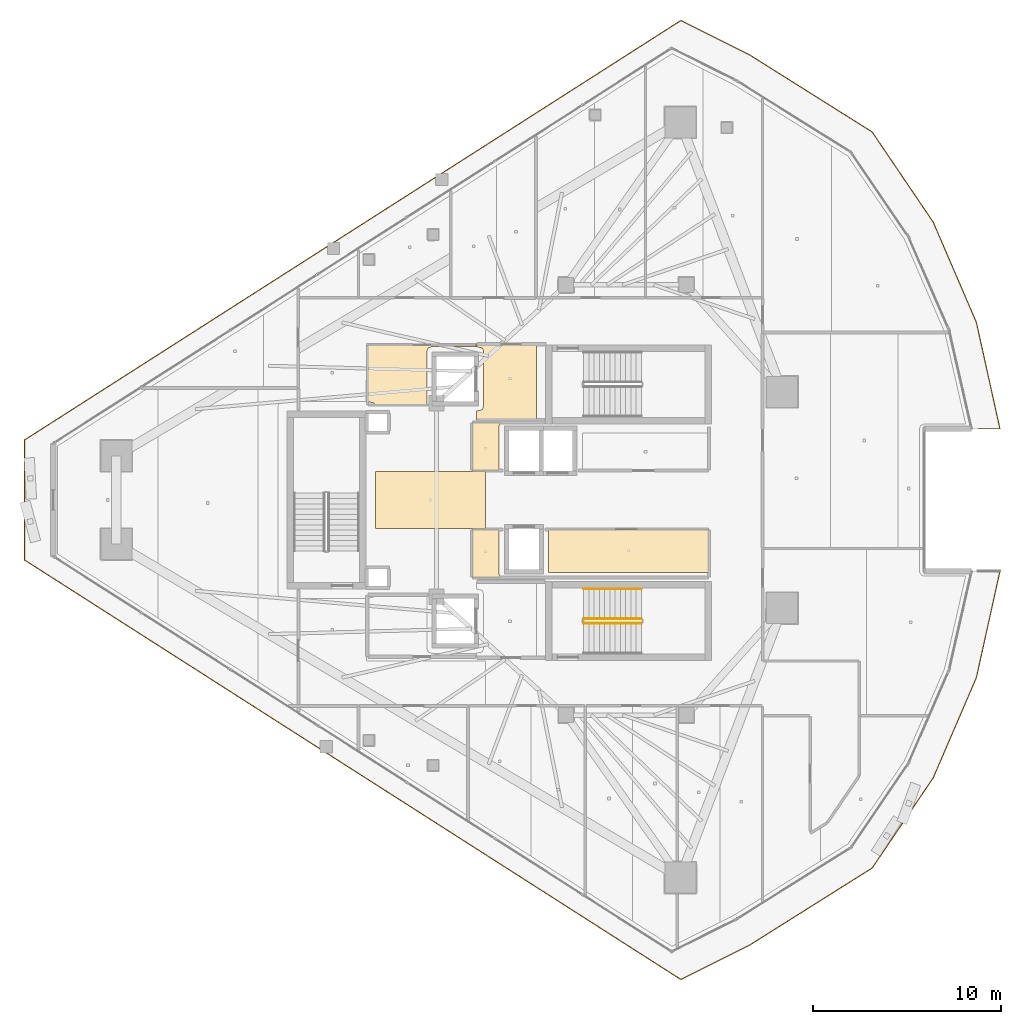
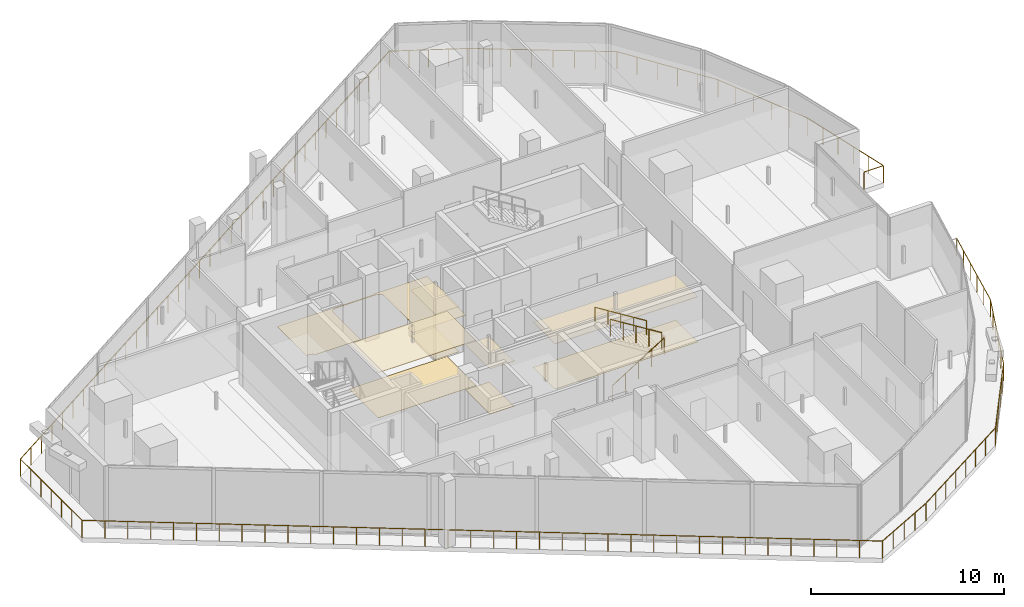
# One storey, part 33 of 36: 10 coverings, 4 railings.
"""IFC4 building model written with IfcOpenShell, lengths in metres."""

from ifc_helpers import new_model, si_unit, direction, frame, origin, origin_2d, place, context, subcontext, project, spatial, polyline, circle, outline, extrude, material, layer, layer_set, type_object, element, save


model = new_model("IFC4")

# Units and contexts
model_context = context("Model", 3, precision=1e-05, world=origin(), true_north=direction((0.0, 1.0)))
body_context = subcontext(model_context, "Body", "Model", "MODEL_VIEW")
ifc_project = project(units=[si_unit("LENGTHUNIT", "METRE"), si_unit("AREAUNIT", "SQUARE_METRE"), si_unit("VOLUMEUNIT", "CUBIC_METRE"), si_unit("PLANEANGLEUNIT", "RADIAN"), si_unit("MASSUNIT", "GRAM", prefix="KILO")], contexts=[model_context])

# Site, building, storey
site_placement = place(None, origin())
site = spatial("IfcSite", under=ifc_project, at=site_placement, CompositionType="ELEMENT")
building_placement = place(site_placement, origin())
building = spatial("IfcBuilding", under=site, at=building_placement, Name="Qorvath Tower", CompositionType="ELEMENT")
storey_placement = place(building_placement, frame((0.0, 0.0, 272.39990234375)))
storey = spatial("IfcBuildingStorey", under=building, at=storey_placement, Name="L63", CompositionType="ELEMENT", Elevation=272.39990234375)

# Coverings
ifc_material_1 = material(Name="Acoustic mineral fibre ceiling tile", Category="gypsum")
ifc_layer_1 = layer(ifc_material_1, 0.030029296875)
ifc_layer_set_1 = layer_set([ifc_layer_1], Name="COV-CEIL")
covering_type_1 = type_object("IfcCoveringType", Name="COV-CEIL", PredefinedType="CEILING", material=ifc_layer_set_1)
covering_1_placement = place(storey_placement, frame((0.0, 0.0, 2.85009765625)))
element("IfcCovering", 1, at=covering_1_placement, inside=storey, type_object=covering_type_1, Name="L63 Suspended Acoustic Ceiling 004", PredefinedType="CEILING", context=body_context, shape_type="SweptSolid", body=[
    extrude(outline(polyline([(-27.159912109375, 1.56494140625), (-27.159912109375, 3.9599609375), (-27.095703125, 4.114990234375), (-28.594970703125, 4.114990234375), (-28.594970703125, 1.56494140625), (-27.159912109375, 1.56494140625)])), origin(), (0.0, 0.0, 1.0), 0.030029296875),
])
covering_2_placement = place(storey_placement, frame((0.0, 0.0, 2.85009765625)))
element("IfcCovering", 2, at=covering_2_placement, inside=storey, type_object=covering_type_1, Name="L63 Suspended Acoustic Ceiling 005", PredefinedType="CEILING", context=body_context, shape_type="SweptSolid", body=[
    extrude(outline(polyline([(-24.5400390625, -1.56494140625), (-24.5400390625, -3.85009765625), (-16.0048828125, -3.85009765625), (-16.0048828125, -1.56494140625), (-24.5400390625, -1.56494140625)])), origin(), (0.0, 0.0, 1.0), 0.030029296875),
])
covering_3_placement = place(storey_placement, frame((0.0, 0.0, 2.85009765625)))
element("IfcCovering", 3, at=covering_3_placement, inside=storey, type_object=covering_type_1, Name="L63 Suspended Acoustic Ceiling 006", PredefinedType="CEILING", context=body_context, shape_type="SweptSolid", body=[
    extrude(outline(polyline([(-27.095703125, -4.114990234375), (-27.159912109375, -3.9599609375), (-27.159912109375, -1.56494140625), (-28.594970703125, -1.56494140625), (-28.594970703125, -4.114990234375), (-27.095703125, -4.114990234375)])), origin(), (0.0, 0.0, 1.0), 0.030029296875),
])
covering_4_placement = place(storey_placement, frame((0.0, 0.0, 2.85009765625)))
element("IfcCovering", 4, at=covering_4_placement, inside=storey, type_object=covering_type_1, Name="L63 Suspended Acoustic Ceiling 011", PredefinedType="CEILING", context=body_context, shape_type="SweptSolid", body=[
    extrude(outline(polyline([(-27.8984375, -1.514892578125), (-27.8984375, 1.514892578125), (-33.760009765625, 1.514892578125), (-33.760009765625, -1.514892578125), (-27.8984375, -1.514892578125)])), origin(), (0.0, 0.0, 1.0), 0.030029296875),
])
ifc_material_2 = material(Name="Low-VOC modular carpet tile", Category="textile")
ifc_layer_2 = layer(ifc_material_2, 0.014892578125)
ifc_layer_set_2 = layer_set([ifc_layer_2], Name="COV-FLOOR-CPT")
covering_type_2 = type_object("IfcCoveringType", Name="COV-FLOOR-CPT", PredefinedType="FLOORING", material=ifc_layer_set_2)
covering_5_placement = place(storey_placement, origin())
element("IfcCovering", 5, at=covering_5_placement, inside=storey, type_object=covering_type_2, Name="L63 Floor Finish 004", PredefinedType="FLOORING", context=body_context, shape_type="SweptSolid", body=[
    extrude(outline(polyline([(-27.159912109375, 1.56494140625), (-27.159912109375, 3.9599609375), (-27.095703125, 4.114990234375), (-28.594970703125, 4.114990234375), (-28.594970703125, 1.56494140625), (-27.159912109375, 1.56494140625)])), origin(), (0.0, 0.0, 1.0), 0.01513671875),
])
covering_6_placement = place(storey_placement, origin())
element("IfcCovering", 6, at=covering_6_placement, inside=storey, type_object=covering_type_2, Name="L63 Floor Finish 005", PredefinedType="FLOORING", context=body_context, shape_type="SweptSolid", body=[
    extrude(outline(polyline([(-24.5400390625, -1.56494140625), (-24.5400390625, -3.85009765625), (-16.0048828125, -3.85009765625), (-16.0048828125, -1.56494140625), (-24.5400390625, -1.56494140625)])), origin(), (0.0, 0.0, 1.0), 0.01513671875),
])
covering_7_placement = place(storey_placement, origin())
element("IfcCovering", 7, at=covering_7_placement, inside=storey, type_object=covering_type_2, Name="L63 Floor Finish 006", PredefinedType="FLOORING", context=body_context, shape_type="SweptSolid", body=[
    extrude(outline(polyline([(-27.095703125, -4.114990234375), (-27.159912109375, -3.9599609375), (-27.159912109375, -1.56494140625), (-28.594970703125, -1.56494140625), (-28.594970703125, -4.114990234375), (-27.095703125, -4.114990234375)])), origin(), (0.0, 0.0, 1.0), 0.01513671875),
])
ifc_material_3 = material(Name="Polished epoxy terrazzo flooring", Category="concrete")
ifc_layer_3 = layer(ifc_material_3, 0.02001953125)
ifc_layer_set_3 = layer_set([ifc_layer_3], Name="COV-FLOOR-TRZ")
covering_type_3 = type_object("IfcCoveringType", Name="COV-FLOOR-TRZ", PredefinedType="FLOORING", material=ifc_layer_set_3)
covering_8_placement = place(storey_placement, origin())
element("IfcCovering", 8, at=covering_8_placement, inside=storey, type_object=covering_type_3, Name="L63 Floor Finish 001", PredefinedType="FLOORING", context=body_context, shape_type="SweptSolid", body=[
    extrude(outline(polyline([(-25.18994140625, 4.2548828125), (-25.18994140625, 8.294921875), (-28.375, 8.294921875), (-28.375, 8.159912109375), (-28.063232421875, 8.086669921875), (-27.989990234375, 7.909912109375), (-27.989990234375, 4.989990234375), (-28.063232421875, 4.813232421875), (-28.375, 4.739990234375), (-28.375, 4.2548828125), (-25.18994140625, 4.2548828125)])), origin(), (0.0, 0.0, 1.0), 0.01513671875),
])
covering_9_placement = place(storey_placement, origin())
element("IfcCovering", 9, at=covering_9_placement, inside=storey, type_object=covering_type_3, Name="L63 Floor Finish 007", PredefinedType="FLOORING", context=body_context, shape_type="SweptSolid", body=[
    extrude(outline(polyline([(-31.010009765625, 5.054931640625), (-31.010009765625, 7.909912109375), (-30.936767578125, 8.086669921875), (-30.760009765625, 8.159912109375), (-28.39306640625, 8.159912109375), (-28.39306640625, 8.2451171875), (-34.175048828125, 8.2451171875), (-34.175048828125, 5.239990234375), (-33.833251953125, 5.166748046875), (-33.786865234375, 5.054931640625), (-31.010009765625, 5.054931640625)])), origin(), (0.0, 0.0, 1.0), 0.01513671875),
])
covering_10_placement = place(storey_placement, origin())
element("IfcCovering", 10, at=covering_10_placement, inside=storey, type_object=covering_type_3, Name="L63 Floor Finish 011", PredefinedType="FLOORING", context=body_context, shape_type="SweptSolid", body=[
    extrude(outline(polyline([(-27.8984375, -1.514892578125), (-27.8984375, 1.514892578125), (-33.760009765625, 1.514892578125), (-33.760009765625, -1.514892578125), (-27.8984375, -1.514892578125)])), origin(), (0.0, 0.0, 1.0), 0.01513671875),
])

# Railings
ifc_material_4 = material(Name="Laminated safety glass and stainless steel AISI 316", Category="steel")
railing_type_1 = type_object("IfcRailingType", Name="RL-EXT-GRD", PredefinedType="GUARDRAIL", material=ifc_material_4)
railing_1_placement = place(storey_placement, frame((-0.5029296875, -3.790771484375, 0.0)))
element("IfcRailing", 11, at=railing_1_placement, inside=storey, type_object=railing_type_1, Name="Loggia Perimeter Guardrail L63-1.1", PredefinedType="GUARDRAIL", context=body_context, shape_type="SweptSolid", body=[
    extrude(circle(Radius=0.02392578125, at=origin_2d()), frame((0.0, 0.0, 1.09619140625), z_axis=(-0.216053085193, -0.97638161821, 0.0), x_axis=(0.97638161821, -0.216053085193, 0.0)), (0.0, 0.0, 1.0), 5.804931640625),
    extrude(circle(Radius=0.02392578125, at=origin_2d()), frame((-1.254150390625, -5.667724609375, 1.09619140625), z_axis=(-0.39549727844, -0.918467148431, 0.0), x_axis=(0.918467148431, -0.39549727844, 0.0)), (0.0, 0.0, 1.0), 5.80517578125),
    extrude(circle(Radius=0.02392578125, at=origin_2d()), frame((-3.550048828125, -10.99951171875, 1.09619140625), z_axis=(-0.560828616458, -0.827931919279, 0.0), x_axis=(0.827931919279, -0.560828616458, 0.0)), (0.0, 0.0, 1.0), 5.804931640625),
    extrude(circle(Radius=0.02392578125, at=origin_2d()), frame((-6.8056640625, -15.8056640625, 1.09619140625), z_axis=(-0.846504202931, -0.532382038033, 0.0), x_axis=(0.532382038033, -0.846504202931, 0.0)), (0.0, 0.0, 1.0), 7.71923828125),
    extrude(circle(Radius=0.02392578125, at=origin_2d()), frame((-13.340087890625, -19.915283203125, 1.09619140625), z_axis=(-0.894403239972, -0.447261494349, 0.0), x_axis=(0.447261494349, -0.894403239972, 0.0)), (0.0, 0.0, 1.0), 4.07763671875),
    extrude(circle(Radius=0.02392578125, at=origin_2d()), frame((-16.987060546875, -21.739013671875, 1.09619140625), z_axis=(-0.842602711226, 0.538535672945, 0.0), x_axis=(-0.538535672945, -0.842602711226, 0.0)), (0.0, 0.0, 1.0), 41.480224609375),
    extrude(circle(Radius=0.02392578125, at=origin_2d()), frame((-51.9384765625, 0.599609375, 1.09619140625), z_axis=(0.0, 1.0, 0.0), x_axis=(-1.0, 0.0, 0.0)), (0.0, 0.0, 1.0), 6.38232421875),
    extrude(circle(Radius=0.02392578125, at=origin_2d()), frame((-51.9384765625, 6.98193359375, 1.09619140625), z_axis=(0.842602711226, 0.538535672945, 0.0), x_axis=(-0.538535672945, 0.842602711226, 0.0)), (0.0, 0.0, 1.0), 41.480224609375),
    extrude(circle(Radius=0.02392578125, at=origin_2d()), frame((-16.987060546875, 29.320556640625, 1.09619140625), z_axis=(0.894403239972, -0.447261494349, 0.0), x_axis=(0.447261494349, 0.894403239972, 0.0)), (0.0, 0.0, 1.0), 4.07763671875),
    extrude(circle(Radius=0.02392578125, at=origin_2d()), frame((-13.340087890625, 27.496826171875, 1.09619140625), z_axis=(0.846504202931, -0.532382038033, 0.0), x_axis=(0.532382038033, 0.846504202931, 0.0)), (0.0, 0.0, 1.0), 7.71923828125),
    extrude(circle(Radius=0.02392578125, at=origin_2d()), frame((-6.8056640625, 23.38720703125, 1.09619140625), z_axis=(0.560828616458, -0.827931919279, 0.0), x_axis=(0.827931919279, 0.560828616458, 0.0)), (0.0, 0.0, 1.0), 5.804931640625),
    extrude(circle(Radius=0.02392578125, at=origin_2d()), frame((-3.550048828125, 18.5810546875, 1.09619140625), z_axis=(0.39549727844, -0.918467148431, 0.0), x_axis=(0.918467148431, 0.39549727844, 0.0)), (0.0, 0.0, 1.0), 5.80517578125),
    extrude(circle(Radius=0.02392578125, at=origin_2d()), frame((-1.254150390625, 13.249267578125, 1.09619140625), z_axis=(0.216053085193, -0.97638161821, 0.0), x_axis=(0.97638161821, 0.216053085193, 0.0)), (0.0, 0.0, 1.0), 5.804931640625),
    extrude(circle(Radius=0.02392578125, at=origin_2d()), frame((0.0, 7.58154296875, 1.09619140625), z_axis=(-1.0, 0.0, 0.0), x_axis=(0.0, -1.0, 0.0)), (0.0, 0.0, 1.0), 1.158935546875),
    extrude(circle(Radius=0.02099609375, at=origin_2d()), origin(), (0.0, 0.0, 1.0), 1.072021484375),
    extrude(circle(Radius=0.02099609375, at=origin_2d()), frame((-0.250732421875, -1.133544921875, 0.0)), (0.0, 0.0, 1.0), 1.072021484375),
    extrude(circle(Radius=0.02099609375, at=origin_2d()), frame((-0.501708984375, -2.26708984375, 0.0)), (0.0, 0.0, 1.0), 1.072021484375),
    extrude(circle(Radius=0.02099609375, at=origin_2d()), frame((-0.75244140625, -3.400634765625, 0.0)), (0.0, 0.0, 1.0), 1.072021484375),
    extrude(circle(Radius=0.02099609375, at=origin_2d()), frame((-1.00341796875, -4.5341796875, 0.0)), (0.0, 0.0, 1.0), 1.072021484375),
    extrude(circle(Radius=0.02099609375, at=origin_2d()), frame((-1.254150390625, -5.667724609375, 0.0)), (0.0, 0.0, 1.0), 1.072021484375),
    extrude(circle(Radius=0.02099609375, at=origin_2d()), frame((-1.71337890625, -6.734130859375, 0.0)), (0.0, 0.0, 1.0), 1.072021484375),
    extrude(circle(Radius=0.02099609375, at=origin_2d()), frame((-2.172607421875, -7.800537109375, 0.0)), (0.0, 0.0, 1.0), 1.072021484375),
    extrude(circle(Radius=0.02099609375, at=origin_2d()), frame((-2.631591796875, -8.86669921875, 0.0)), (0.0, 0.0, 1.0), 1.072021484375),
    extrude(circle(Radius=0.02099609375, at=origin_2d()), frame((-3.0908203125, -9.93310546875, 0.0)), (0.0, 0.0, 1.0), 1.072021484375),
    extrude(circle(Radius=0.02099609375, at=origin_2d()), frame((-3.550048828125, -10.99951171875, 0.0)), (0.0, 0.0, 1.0), 1.072021484375),
    extrude(circle(Radius=0.02099609375, at=origin_2d()), frame((-4.201171875, -11.960693359375, 0.0)), (0.0, 0.0, 1.0), 1.072021484375),
    extrude(circle(Radius=0.02099609375, at=origin_2d()), frame((-4.852294921875, -12.921875, 0.0)), (0.0, 0.0, 1.0), 1.072021484375),
    extrude(circle(Radius=0.02099609375, at=origin_2d()), frame((-5.50341796875, -13.88330078125, 0.0)), (0.0, 0.0, 1.0), 1.072021484375),
    extrude(circle(Radius=0.02099609375, at=origin_2d()), frame((-6.154541015625, -14.844482421875, 0.0)), (0.0, 0.0, 1.0), 1.072021484375),
    extrude(circle(Radius=0.02099609375, at=origin_2d()), frame((-6.8056640625, -15.8056640625, 0.0)), (0.0, 0.0, 1.0), 1.072021484375),
    extrude(circle(Radius=0.02099609375, at=origin_2d()), frame((-7.7392578125, -16.392822265625, 0.0)), (0.0, 0.0, 1.0), 1.072021484375),
    extrude(circle(Radius=0.02099609375, at=origin_2d()), frame((-8.672607421875, -16.979736328125, 0.0)), (0.0, 0.0, 1.0), 1.072021484375),
    extrude(circle(Radius=0.02099609375, at=origin_2d()), frame((-9.606201171875, -17.56689453125, 0.0)), (0.0, 0.0, 1.0), 1.072021484375),
    extrude(circle(Radius=0.02099609375, at=origin_2d()), frame((-10.53955078125, -18.154052734375, 0.0)), (0.0, 0.0, 1.0), 1.072021484375),
    extrude(circle(Radius=0.02099609375, at=origin_2d()), frame((-11.47314453125, -18.7412109375, 0.0)), (0.0, 0.0, 1.0), 1.072021484375),
    extrude(circle(Radius=0.02099609375, at=origin_2d()), frame((-12.406494140625, -19.328125, 0.0)), (0.0, 0.0, 1.0), 1.072021484375),
    extrude(circle(Radius=0.02099609375, at=origin_2d()), frame((-13.340087890625, -19.915283203125, 0.0)), (0.0, 0.0, 1.0), 1.072021484375),
    extrude(circle(Radius=0.02099609375, at=origin_2d()), frame((-14.251953125, -20.37109375, 0.0)), (0.0, 0.0, 1.0), 1.072021484375),
    extrude(circle(Radius=0.02099609375, at=origin_2d()), frame((-15.16357421875, -20.8271484375, 0.0)), (0.0, 0.0, 1.0), 1.072021484375),
    extrude(circle(Radius=0.02099609375, at=origin_2d()), frame((-16.0751953125, -21.283203125, 0.0)), (0.0, 0.0, 1.0), 1.072021484375),
    extrude(circle(Radius=0.02099609375, at=origin_2d()), frame((-16.987060546875, -21.739013671875, 0.0)), (0.0, 0.0, 1.0), 1.072021484375),
    extrude(circle(Radius=0.02099609375, at=origin_2d()), frame((-17.985595703125, -21.100830078125, 0.0)), (0.0, 0.0, 1.0), 1.072021484375),
    extrude(circle(Radius=0.02099609375, at=origin_2d()), frame((-18.984375, -20.46240234375, 0.0)), (0.0, 0.0, 1.0), 1.072021484375),
    extrude(circle(Radius=0.02099609375, at=origin_2d()), frame((-19.98291015625, -19.82421875, 0.0)), (0.0, 0.0, 1.0), 1.072021484375),
    extrude(circle(Radius=0.02099609375, at=origin_2d()), frame((-20.9814453125, -19.18603515625, 0.0)), (0.0, 0.0, 1.0), 1.072021484375),
    extrude(circle(Radius=0.02099609375, at=origin_2d()), frame((-21.980224609375, -18.5478515625, 0.0)), (0.0, 0.0, 1.0), 1.072021484375),
    extrude(circle(Radius=0.02099609375, at=origin_2d()), frame((-22.978759765625, -17.909423828125, 0.0)), (0.0, 0.0, 1.0), 1.072021484375),
    extrude(circle(Radius=0.02099609375, at=origin_2d()), frame((-23.977294921875, -17.271240234375, 0.0)), (0.0, 0.0, 1.0), 1.072021484375),
    extrude(circle(Radius=0.02099609375, at=origin_2d()), frame((-24.97607421875, -16.633056640625, 0.0)), (0.0, 0.0, 1.0), 1.072021484375),
    extrude(circle(Radius=0.02099609375, at=origin_2d()), frame((-25.974609375, -15.994873046875, 0.0)), (0.0, 0.0, 1.0), 1.072021484375),
    extrude(circle(Radius=0.02099609375, at=origin_2d()), frame((-26.97314453125, -15.3564453125, 0.0)), (0.0, 0.0, 1.0), 1.072021484375),
    extrude(circle(Radius=0.02099609375, at=origin_2d()), frame((-27.9716796875, -14.71826171875, 0.0)), (0.0, 0.0, 1.0), 1.072021484375),
    extrude(circle(Radius=0.02099609375, at=origin_2d()), frame((-28.970458984375, -14.080078125, 0.0)), (0.0, 0.0, 1.0), 1.072021484375),
    extrude(circle(Radius=0.02099609375, at=origin_2d()), frame((-29.968994140625, -13.44189453125, 0.0)), (0.0, 0.0, 1.0), 1.072021484375),
    extrude(circle(Radius=0.02099609375, at=origin_2d()), frame((-30.967529296875, -12.803466796875, 0.0)), (0.0, 0.0, 1.0), 1.072021484375),
    extrude(circle(Radius=0.02099609375, at=origin_2d()), frame((-31.96630859375, -12.165283203125, 0.0)), (0.0, 0.0, 1.0), 1.072021484375),
    extrude(circle(Radius=0.02099609375, at=origin_2d()), frame((-32.96484375, -11.527099609375, 0.0)), (0.0, 0.0, 1.0), 1.072021484375),
    extrude(circle(Radius=0.02099609375, at=origin_2d()), frame((-33.96337890625, -10.888916015625, 0.0)), (0.0, 0.0, 1.0), 1.072021484375),
    extrude(circle(Radius=0.02099609375, at=origin_2d()), frame((-34.962158203125, -10.25048828125, 0.0)), (0.0, 0.0, 1.0), 1.072021484375),
    extrude(circle(Radius=0.02099609375, at=origin_2d()), frame((-35.960693359375, -9.6123046875, 0.0)), (0.0, 0.0, 1.0), 1.072021484375),
    extrude(circle(Radius=0.02099609375, at=origin_2d()), frame((-36.959228515625, -8.97412109375, 0.0)), (0.0, 0.0, 1.0), 1.072021484375),
    extrude(circle(Radius=0.02099609375, at=origin_2d()), frame((-37.9580078125, -8.3359375, 0.0)), (0.0, 0.0, 1.0), 1.072021484375),
    extrude(circle(Radius=0.02099609375, at=origin_2d()), frame((-38.95654296875, -7.697509765625, 0.0)), (0.0, 0.0, 1.0), 1.072021484375),
    extrude(circle(Radius=0.02099609375, at=origin_2d()), frame((-39.955078125, -7.059326171875, 0.0)), (0.0, 0.0, 1.0), 1.072021484375),
    extrude(circle(Radius=0.02099609375, at=origin_2d()), frame((-40.953857421875, -6.421142578125, 0.0)), (0.0, 0.0, 1.0), 1.072021484375),
    extrude(circle(Radius=0.02099609375, at=origin_2d()), frame((-41.952392578125, -5.782958984375, 0.0)), (0.0, 0.0, 1.0), 1.072021484375),
    extrude(circle(Radius=0.02099609375, at=origin_2d()), frame((-42.950927734375, -5.14453125, 0.0)), (0.0, 0.0, 1.0), 1.072021484375),
    extrude(circle(Radius=0.02099609375, at=origin_2d()), frame((-43.949462890625, -4.50634765625, 0.0)), (0.0, 0.0, 1.0), 1.072021484375),
    extrude(circle(Radius=0.02099609375, at=origin_2d()), frame((-44.9482421875, -3.8681640625, 0.0)), (0.0, 0.0, 1.0), 1.072021484375),
    extrude(circle(Radius=0.02099609375, at=origin_2d()), frame((-45.94677734375, -3.22998046875, 0.0)), (0.0, 0.0, 1.0), 1.072021484375),
    extrude(circle(Radius=0.02099609375, at=origin_2d()), frame((-46.9453125, -2.591552734375, 0.0)), (0.0, 0.0, 1.0), 1.072021484375),
    extrude(circle(Radius=0.02099609375, at=origin_2d()), frame((-47.944091796875, -1.953369140625, 0.0)), (0.0, 0.0, 1.0), 1.072021484375),
    extrude(circle(Radius=0.02099609375, at=origin_2d()), frame((-48.942626953125, -1.315185546875, 0.0)), (0.0, 0.0, 1.0), 1.072021484375),
    extrude(circle(Radius=0.02099609375, at=origin_2d()), frame((-49.941162109375, -0.677001953125, 0.0)), (0.0, 0.0, 1.0), 1.072021484375),
    extrude(circle(Radius=0.02099609375, at=origin_2d()), frame((-50.93994140625, -0.03857421875, 0.0)), (0.0, 0.0, 1.0), 1.072021484375),
    extrude(circle(Radius=0.02099609375, at=origin_2d()), frame((-51.9384765625, 0.599609375, 0.0)), (0.0, 0.0, 1.0), 1.072021484375),
    extrude(circle(Radius=0.02099609375, at=origin_2d()), frame((-51.9384765625, 1.663330078125, 0.0)), (0.0, 0.0, 1.0), 1.072021484375),
    extrude(circle(Radius=0.02099609375, at=origin_2d()), frame((-51.9384765625, 2.72705078125, 0.0)), (0.0, 0.0, 1.0), 1.072021484375),
    extrude(circle(Radius=0.02099609375, at=origin_2d()), frame((-51.9384765625, 3.790771484375, 0.0)), (0.0, 0.0, 1.0), 1.072021484375),
    extrude(circle(Radius=0.02099609375, at=origin_2d()), frame((-51.9384765625, 4.8544921875, 0.0)), (0.0, 0.0, 1.0), 1.072021484375),
    extrude(circle(Radius=0.02099609375, at=origin_2d()), frame((-51.9384765625, 5.918212890625, 0.0)), (0.0, 0.0, 1.0), 1.072021484375),
    extrude(circle(Radius=0.02099609375, at=origin_2d()), frame((-51.9384765625, 6.98193359375, 0.0)), (0.0, 0.0, 1.0), 1.072021484375),
    extrude(circle(Radius=0.02099609375, at=origin_2d()), frame((-50.93994140625, 7.6201171875, 0.0)), (0.0, 0.0, 1.0), 1.072021484375),
    extrude(circle(Radius=0.02099609375, at=origin_2d()), frame((-49.941162109375, 8.258544921875, 0.0)), (0.0, 0.0, 1.0), 1.072021484375),
    extrude(circle(Radius=0.02099609375, at=origin_2d()), frame((-48.942626953125, 8.896728515625, 0.0)), (0.0, 0.0, 1.0), 1.072021484375),
    extrude(circle(Radius=0.02099609375, at=origin_2d()), frame((-47.944091796875, 9.534912109375, 0.0)), (0.0, 0.0, 1.0), 1.072021484375),
    extrude(circle(Radius=0.02099609375, at=origin_2d()), frame((-46.9453125, 10.173095703125, 0.0)), (0.0, 0.0, 1.0), 1.072021484375),
    extrude(circle(Radius=0.02099609375, at=origin_2d()), frame((-45.94677734375, 10.8115234375, 0.0)), (0.0, 0.0, 1.0), 1.072021484375),
    extrude(circle(Radius=0.02099609375, at=origin_2d()), frame((-44.9482421875, 11.44970703125, 0.0)), (0.0, 0.0, 1.0), 1.072021484375),
    extrude(circle(Radius=0.02099609375, at=origin_2d()), frame((-43.949462890625, 12.087890625, 0.0)), (0.0, 0.0, 1.0), 1.072021484375),
    extrude(circle(Radius=0.02099609375, at=origin_2d()), frame((-42.950927734375, 12.72607421875, 0.0)), (0.0, 0.0, 1.0), 1.072021484375),
    extrude(circle(Radius=0.02099609375, at=origin_2d()), frame((-41.952392578125, 13.364501953125, 0.0)), (0.0, 0.0, 1.0), 1.072021484375),
    extrude(circle(Radius=0.02099609375, at=origin_2d()), frame((-40.953857421875, 14.002685546875, 0.0)), (0.0, 0.0, 1.0), 1.072021484375),
    extrude(circle(Radius=0.02099609375, at=origin_2d()), frame((-39.955078125, 14.640869140625, 0.0)), (0.0, 0.0, 1.0), 1.072021484375),
    extrude(circle(Radius=0.02099609375, at=origin_2d()), frame((-38.95654296875, 15.279052734375, 0.0)), (0.0, 0.0, 1.0), 1.072021484375),
    extrude(circle(Radius=0.02099609375, at=origin_2d()), frame((-37.9580078125, 15.91748046875, 0.0)), (0.0, 0.0, 1.0), 1.072021484375),
    extrude(circle(Radius=0.02099609375, at=origin_2d()), frame((-36.959228515625, 16.5556640625, 0.0)), (0.0, 0.0, 1.0), 1.072021484375),
    extrude(circle(Radius=0.02099609375, at=origin_2d()), frame((-35.960693359375, 17.19384765625, 0.0)), (0.0, 0.0, 1.0), 1.072021484375),
    extrude(circle(Radius=0.02099609375, at=origin_2d()), frame((-34.962158203125, 17.83203125, 0.0)), (0.0, 0.0, 1.0), 1.072021484375),
    extrude(circle(Radius=0.02099609375, at=origin_2d()), frame((-33.96337890625, 18.470458984375, 0.0)), (0.0, 0.0, 1.0), 1.072021484375),
    extrude(circle(Radius=0.02099609375, at=origin_2d()), frame((-32.96484375, 19.108642578125, 0.0)), (0.0, 0.0, 1.0), 1.072021484375),
    extrude(circle(Radius=0.02099609375, at=origin_2d()), frame((-31.96630859375, 19.746826171875, 0.0)), (0.0, 0.0, 1.0), 1.072021484375),
    extrude(circle(Radius=0.02099609375, at=origin_2d()), frame((-30.967529296875, 20.385009765625, 0.0)), (0.0, 0.0, 1.0), 1.072021484375),
    extrude(circle(Radius=0.02099609375, at=origin_2d()), frame((-29.968994140625, 21.0234375, 0.0)), (0.0, 0.0, 1.0), 1.072021484375),
    extrude(circle(Radius=0.02099609375, at=origin_2d()), frame((-28.970458984375, 21.66162109375, 0.0)), (0.0, 0.0, 1.0), 1.072021484375),
    extrude(circle(Radius=0.02099609375, at=origin_2d()), frame((-27.9716796875, 22.2998046875, 0.0)), (0.0, 0.0, 1.0), 1.072021484375),
    extrude(circle(Radius=0.02099609375, at=origin_2d()), frame((-26.97314453125, 22.93798828125, 0.0)), (0.0, 0.0, 1.0), 1.072021484375),
    extrude(circle(Radius=0.02099609375, at=origin_2d()), frame((-25.974609375, 23.576416015625, 0.0)), (0.0, 0.0, 1.0), 1.072021484375),
    extrude(circle(Radius=0.02099609375, at=origin_2d()), frame((-24.97607421875, 24.214599609375, 0.0)), (0.0, 0.0, 1.0), 1.072021484375),
    extrude(circle(Radius=0.02099609375, at=origin_2d()), frame((-23.977294921875, 24.852783203125, 0.0)), (0.0, 0.0, 1.0), 1.072021484375),
    extrude(circle(Radius=0.02099609375, at=origin_2d()), frame((-22.978759765625, 25.490966796875, 0.0)), (0.0, 0.0, 1.0), 1.072021484375),
    extrude(circle(Radius=0.02099609375, at=origin_2d()), frame((-21.980224609375, 26.12939453125, 0.0)), (0.0, 0.0, 1.0), 1.072021484375),
    extrude(circle(Radius=0.02099609375, at=origin_2d()), frame((-20.9814453125, 26.767578125, 0.0)), (0.0, 0.0, 1.0), 1.072021484375),
    extrude(circle(Radius=0.02099609375, at=origin_2d()), frame((-19.98291015625, 27.40576171875, 0.0)), (0.0, 0.0, 1.0), 1.072021484375),
    extrude(circle(Radius=0.02099609375, at=origin_2d()), frame((-18.984375, 28.0439453125, 0.0)), (0.0, 0.0, 1.0), 1.072021484375),
    extrude(circle(Radius=0.02099609375, at=origin_2d()), frame((-17.985595703125, 28.682373046875, 0.0)), (0.0, 0.0, 1.0), 1.072021484375),
    extrude(circle(Radius=0.02099609375, at=origin_2d()), frame((-16.987060546875, 29.320556640625, 0.0)), (0.0, 0.0, 1.0), 1.072021484375),
    extrude(circle(Radius=0.02099609375, at=origin_2d()), frame((-16.0751953125, 28.86474609375, 0.0)), (0.0, 0.0, 1.0), 1.072021484375),
    extrude(circle(Radius=0.02099609375, at=origin_2d()), frame((-15.16357421875, 28.40869140625, 0.0)), (0.0, 0.0, 1.0), 1.072021484375),
    extrude(circle(Radius=0.02099609375, at=origin_2d()), frame((-14.251953125, 27.95263671875, 0.0)), (0.0, 0.0, 1.0), 1.072021484375),
    extrude(circle(Radius=0.02099609375, at=origin_2d()), frame((-13.340087890625, 27.496826171875, 0.0)), (0.0, 0.0, 1.0), 1.072021484375),
    extrude(circle(Radius=0.02099609375, at=origin_2d()), frame((-12.406494140625, 26.90966796875, 0.0)), (0.0, 0.0, 1.0), 1.072021484375),
    extrude(circle(Radius=0.02099609375, at=origin_2d()), frame((-11.47314453125, 26.32275390625, 0.0)), (0.0, 0.0, 1.0), 1.072021484375),
    extrude(circle(Radius=0.02099609375, at=origin_2d()), frame((-10.53955078125, 25.735595703125, 0.0)), (0.0, 0.0, 1.0), 1.072021484375),
    extrude(circle(Radius=0.02099609375, at=origin_2d()), frame((-9.606201171875, 25.1484375, 0.0)), (0.0, 0.0, 1.0), 1.072021484375),
    extrude(circle(Radius=0.02099609375, at=origin_2d()), frame((-8.672607421875, 24.561279296875, 0.0)), (0.0, 0.0, 1.0), 1.072021484375),
    extrude(circle(Radius=0.02099609375, at=origin_2d()), frame((-7.7392578125, 23.974365234375, 0.0)), (0.0, 0.0, 1.0), 1.072021484375),
    extrude(circle(Radius=0.02099609375, at=origin_2d()), frame((-6.8056640625, 23.38720703125, 0.0)), (0.0, 0.0, 1.0), 1.072021484375),
    extrude(circle(Radius=0.02099609375, at=origin_2d()), frame((-6.154541015625, 22.426025390625, 0.0)), (0.0, 0.0, 1.0), 1.072021484375),
    extrude(circle(Radius=0.02099609375, at=origin_2d()), frame((-5.50341796875, 21.46484375, 0.0)), (0.0, 0.0, 1.0), 1.072021484375),
    extrude(circle(Radius=0.02099609375, at=origin_2d()), frame((-4.852294921875, 20.50341796875, 0.0)), (0.0, 0.0, 1.0), 1.072021484375),
    extrude(circle(Radius=0.02099609375, at=origin_2d()), frame((-4.201171875, 19.542236328125, 0.0)), (0.0, 0.0, 1.0), 1.072021484375),
    extrude(circle(Radius=0.02099609375, at=origin_2d()), frame((-3.550048828125, 18.5810546875, 0.0)), (0.0, 0.0, 1.0), 1.072021484375),
    extrude(circle(Radius=0.02099609375, at=origin_2d()), frame((-3.0908203125, 17.5146484375, 0.0)), (0.0, 0.0, 1.0), 1.072021484375),
    extrude(circle(Radius=0.02099609375, at=origin_2d()), frame((-2.631591796875, 16.4482421875, 0.0)), (0.0, 0.0, 1.0), 1.072021484375),
    extrude(circle(Radius=0.02099609375, at=origin_2d()), frame((-2.172607421875, 15.382080078125, 0.0)), (0.0, 0.0, 1.0), 1.072021484375),
    extrude(circle(Radius=0.02099609375, at=origin_2d()), frame((-1.71337890625, 14.315673828125, 0.0)), (0.0, 0.0, 1.0), 1.072021484375),
    extrude(circle(Radius=0.02099609375, at=origin_2d()), frame((-1.254150390625, 13.249267578125, 0.0)), (0.0, 0.0, 1.0), 1.072021484375),
    extrude(circle(Radius=0.02099609375, at=origin_2d()), frame((-1.00341796875, 12.11572265625, 0.0)), (0.0, 0.0, 1.0), 1.072021484375),
    extrude(circle(Radius=0.02099609375, at=origin_2d()), frame((-0.75244140625, 10.982177734375, 0.0)), (0.0, 0.0, 1.0), 1.072021484375),
    extrude(circle(Radius=0.02099609375, at=origin_2d()), frame((-0.501708984375, 9.8486328125, 0.0)), (0.0, 0.0, 1.0), 1.072021484375),
    extrude(circle(Radius=0.02099609375, at=origin_2d()), frame((-0.250732421875, 8.715087890625, 0.0)), (0.0, 0.0, 1.0), 1.072021484375),
    extrude(circle(Radius=0.02099609375, at=origin_2d()), frame((0.0, 7.58154296875, 0.0)), (0.0, 0.0, 1.0), 1.072021484375),
    extrude(circle(Radius=0.02099609375, at=origin_2d()), frame((-1.158935546875, 7.58154296875, 0.0)), (0.0, 0.0, 1.0), 1.072021484375),
])
ifc_material_5 = material(Name="Painted galvanised steel", Category="steel")
railing_type_2 = type_object("IfcRailingType", Name="RL-STR-GRD", PredefinedType="GUARDRAIL", material=ifc_material_5)
railing_2_placement = place(storey_placement, frame((-22.669921875, -6.570068359375, 0.175048828125)))
element("IfcRailing", 12, at=railing_2_placement, inside=storey, type_object=railing_type_2, Name="L63 TS2 stair guard 1", PredefinedType="GUARDRAIL", context=body_context, shape_type="SweptSolid", body=[
    extrude(circle(Radius=0.02392578125, at=origin_2d()), frame((0.0, 0.0, 1.076171875), z_axis=(0.847979421464, 0.0, 0.530029150871), x_axis=(0.0, 1.0, 0.0)), (0.0, 0.0, 1.0), 3.632080078125),
    extrude(circle(Radius=0.02099609375, at=origin_2d()), origin(), (0.0, 0.0, 1.0), 1.052001953125),
    extrude(circle(Radius=0.02099609375, at=origin_2d()), frame((0.77001953125, 0.0, 0.481201171875)), (0.0, 0.0, 1.0), 1.052001953125),
    extrude(circle(Radius=0.02099609375, at=origin_2d()), frame((1.5400390625, 0.0, 0.96240234375)), (0.0, 0.0, 1.0), 1.052001953125),
    extrude(circle(Radius=0.02099609375, at=origin_2d()), frame((2.309814453125, 0.0, 1.44384765625)), (0.0, 0.0, 1.0), 1.052001953125),
    extrude(circle(Radius=0.02099609375, at=origin_2d()), frame((3.079833984375, 0.0, 1.925048828125)), (0.0, 0.0, 1.0), 1.052001953125),
])
railing_3_placement = place(storey_placement, frame((-19.590087890625, -6.320068359375, 2.275146484375)))
element("IfcRailing", 13, at=railing_3_placement, inside=storey, type_object=railing_type_2, Name="L63 TS2 stair guard 3", PredefinedType="GUARDRAIL", context=body_context, shape_type="SweptSolid", body=[
    extrude(circle(Radius=0.02392578125, at=origin_2d()), frame((0.0, 0.0, 1.076171875), z_axis=(-0.847979421464, 0.0, 0.530029150871), x_axis=(0.0, -1.0, 0.0)), (0.0, 0.0, 1.0), 3.632080078125),
    extrude(circle(Radius=0.02099609375, at=origin_2d()), origin(), (0.0, 0.0, 1.0), 1.052001953125),
    extrude(circle(Radius=0.02099609375, at=origin_2d()), frame((-0.77001953125, 0.0, 0.481201171875)), (0.0, 0.0, 1.0), 1.052001953125),
    extrude(circle(Radius=0.02099609375, at=origin_2d()), frame((-1.5400390625, 0.0, 0.96240234375)), (0.0, 0.0, 1.0), 1.052001953125),
    extrude(circle(Radius=0.02099609375, at=origin_2d()), frame((-2.309814453125, 0.0, 1.44384765625)), (0.0, 0.0, 1.0), 1.052001953125),
    extrude(circle(Radius=0.02099609375, at=origin_2d()), frame((-3.079833984375, 0.0, 1.925048828125)), (0.0, 0.0, 1.0), 1.052001953125),
])
ifc_material_6 = material(Name="Brushed stainless steel AISI 304", Category="steel")
railing_type_3 = type_object("IfcRailingType", Name="RL-STR-HND", PredefinedType="HANDRAIL", material=ifc_material_6)
railing_4_placement = place(storey_placement, frame((-19.590087890625, -4.739990234375, 2.275146484375)))
element("IfcRailing", 14, at=railing_4_placement, inside=storey, type_object=railing_type_3, Name="L63 TS2 stair handrail 2", PredefinedType="HANDRAIL", context=body_context, shape_type="SweptSolid", body=[
    extrude(circle(Radius=0.02392578125, at=origin_2d()), frame((0.0, 0.0, 0.8759765625), z_axis=(-0.847979421464, 0.0, 0.530029150871), x_axis=(0.0, -1.0, 0.0)), (0.0, 0.0, 1.0), 3.632080078125),
    extrude(circle(Radius=0.02099609375, at=origin_2d()), origin(), (0.0, 0.0, 1.0), 0.851806640625),
    extrude(circle(Radius=0.02099609375, at=origin_2d()), frame((-0.77001953125, 0.0, 0.481201171875)), (0.0, 0.0, 1.0), 0.851806640625),
    extrude(circle(Radius=0.02099609375, at=origin_2d()), frame((-1.5400390625, 0.0, 0.96240234375)), (0.0, 0.0, 1.0), 0.851806640625),
    extrude(circle(Radius=0.02099609375, at=origin_2d()), frame((-2.309814453125, 0.0, 1.44384765625)), (0.0, 0.0, 1.0), 0.851806640625),
    extrude(circle(Radius=0.02099609375, at=origin_2d()), frame((-3.079833984375, 0.0, 1.925048828125)), (0.0, 0.0, 1.0), 0.851806640625),
])

save(model, "model.ifc")
